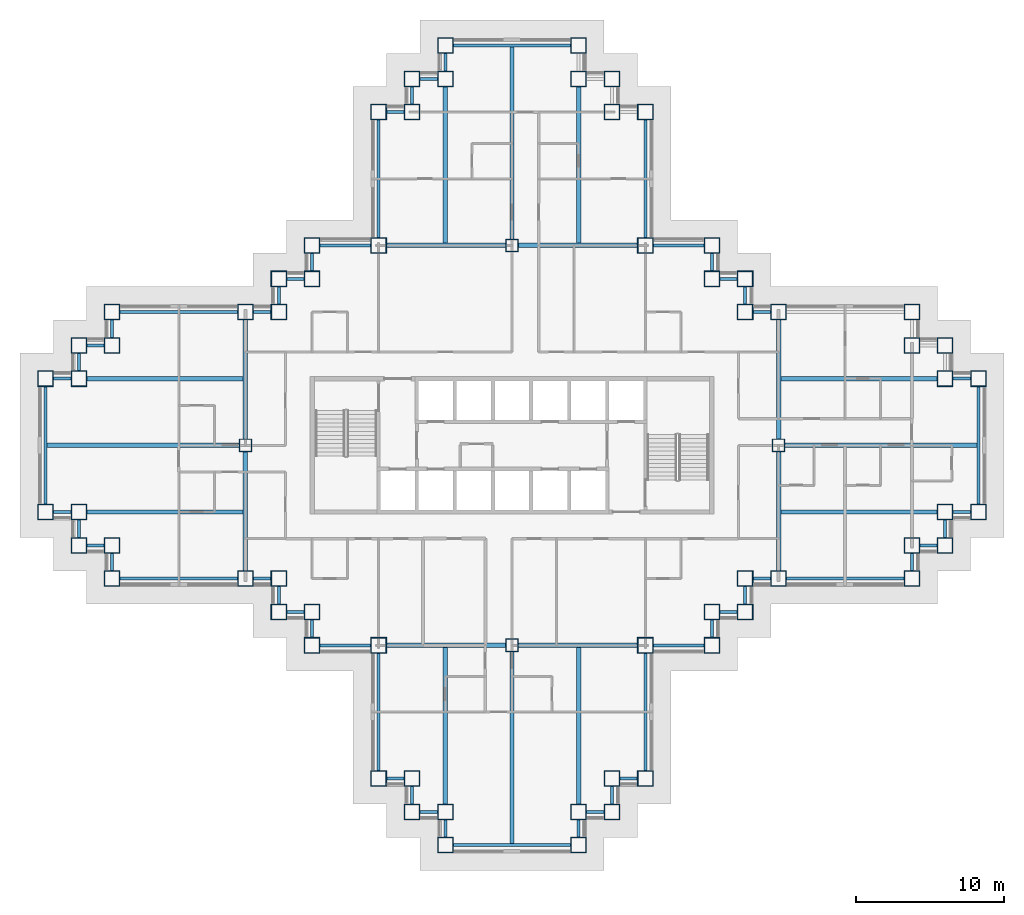
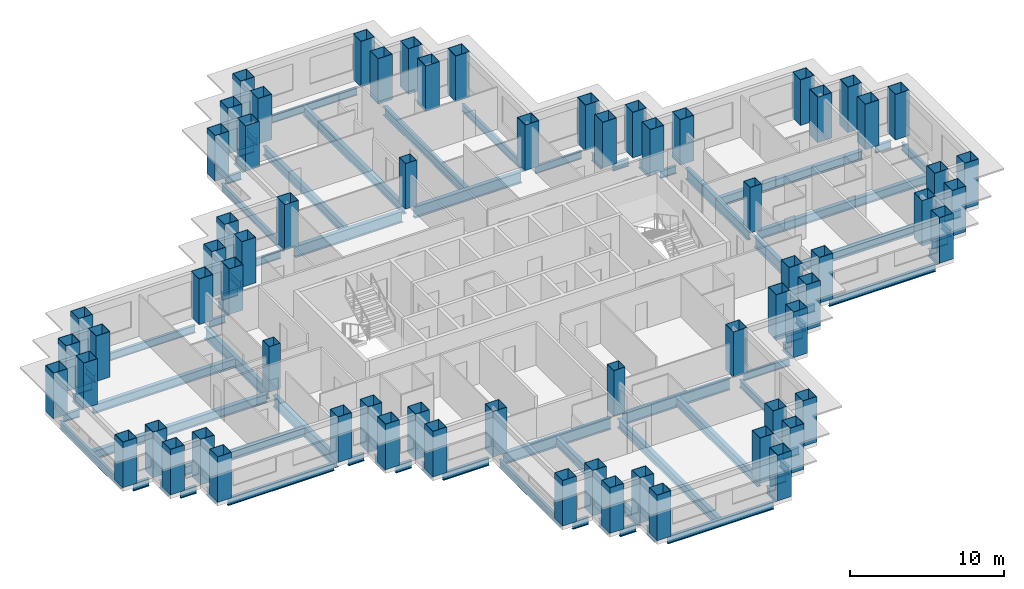
# One storey, part 1 of 14: 76 beams, 68 columns.
"""IFC4 building model written with IfcOpenShell, lengths in metres."""

from ifc_helpers import new_model, si_unit, direction, frame, origin, origin_2d, place, context, subcontext, project, spatial, hollow_rectangle, i_section, extrude, material, material_profile, profile_set, type_object, element, save


model = new_model("IFC4")

# Units and contexts
model_context = context("Model", 3, precision=1e-05, world=origin(), true_north=direction((0.0, 1.0)))
body_context = subcontext(model_context, "Body", "Model", "MODEL_VIEW")
ifc_project = project(units=[si_unit("LENGTHUNIT", "METRE"), si_unit("AREAUNIT", "SQUARE_METRE"), si_unit("VOLUMEUNIT", "CUBIC_METRE"), si_unit("PLANEANGLEUNIT", "RADIAN"), si_unit("MASSUNIT", "GRAM", prefix="KILO")], contexts=[model_context])

# Site, building, storey
site_placement = place(None, origin())
site = spatial("IfcSite", under=ifc_project, at=site_placement, CompositionType="ELEMENT")
building_placement = place(site_placement, origin())
building = spatial("IfcBuilding", under=site, at=building_placement, Name="Caravel Reach Hotel and Residences", CompositionType="ELEMENT")
storey_placement = place(building_placement, frame((0.0, 0.0, 40.800048828125)))
storey = spatial("IfcBuildingStorey", under=building, at=storey_placement, Name="L08", CompositionType="ELEMENT", Elevation=40.800048828125)

# Columns
ifc_material_1 = material(Name="Concrete-filled steel tube Q390B with Concrete C70 infill", Category="concrete")
ifc_material_profile_1 = material_profile(ifc_material_1, hollow_rectangle(XDim=1.050048828125, YDim=1.050048828125, WallThickness=0.033935546875, at=origin_2d()), Name="RHS 1050x1050x34")
ifc_profile_set_1 = profile_set([ifc_material_profile_1], Name="Concrete-filled steel tube Q390B with Concrete C70 infill")
column_type_1 = type_object("IfcColumnType", Name="CFT 1050x1050 Q390B C70", PredefinedType="COLUMN", material=ifc_profile_set_1)
for number, where, z_axis, x_axis, name in (
    (1, (22.5, 4.5, 0.0), (0.0, 0.0, 1.0), (1.0, 0.0, 0.0), "C11 column"),
    (2, (24.75, 4.5, 0.0), (0.0, 0.0, 1.0), (1.0, 0.0, 0.0), "C11 column"),
    (3, (24.75, 2.25, 0.0), (0.0, 0.0, 1.0), (1.0, 0.0, 0.0), "C11 column"),
    (4, (27.0, 2.25, 0.0), (0.0, 0.0, 1.0), (1.0, 0.0, 0.0), "C11 column"),
    (5, (27.0, 0.0, 0.0), (0.0, 0.0, 1.0), (1.0, 0.0, 0.0), "C11 column"),
    (6, (36.0, 0.0, 0.0), (0.0, 0.0, 1.0), (1.0, 0.0, 0.0), "C11 column"),
    (7, (36.0, 2.25, 0.0), (0.0, 0.0, 1.0), (1.0, 0.0, 0.0), "C11 column"),
    (8, (38.25, 2.25, 0.0), (0.0, 0.0, 1.0), (1.0, 0.0, 0.0), "C11 column"),
    (9, (38.25, 4.5, 0.0), (0.0, 0.0, 1.0), (1.0, 0.0, 0.0), "C11 column"),
    (10, (40.5, 4.5, 0.0), (0.0, 0.0, 1.0), (1.0, 0.0, 0.0), "C11 column"),
    (11, (40.5, 13.5, 0.0), (0.0, 0.0, 1.0), (1.0, 0.0, 0.0), "C11 column"),
    (12, (45.0, 13.5, 0.0), (0.0, 0.0, 1.0), (1.0, 0.0, 0.0), "C11 column"),
    (13, (45.0, 15.75, 0.0), (0.0, 0.0, 1.0), (1.0, 0.0, 0.0), "C11 column"),
    (14, (47.25, 15.75, 0.0), (0.0, 0.0, 1.0), (1.0, 0.0, 0.0), "C11 column"),
    (15, (47.25, 18.0, 0.0), (0.0, 0.0, 1.0), (1.0, 0.0, 0.0), "C11 column"),
    (16, (49.5, 18.0, 0.0), (0.0, 0.0, 1.0), (1.0, 0.0, 0.0), "C11 column"),
    (17, (58.5, 18.0, 0.0), (0.0, 0.0, 1.0), (1.0, 0.0, 0.0), "C11 column"),
    (18, (58.5, 20.25, 0.0), (0.0, 0.0, 1.0), (1.0, 0.0, 0.0), "C11 column"),
    (19, (60.75, 20.25, 0.0), (0.0, 0.0, 1.0), (1.0, 0.0, 0.0), "C11 column"),
    (20, (60.75, 22.5, 0.0), (0.0, 0.0, 1.0), (1.0, 0.0, 0.0), "C11 column"),
    (21, (63.0, 22.5, 0.0), (0.0, 0.0, 1.0), (1.0, 0.0, 0.0), "C11 column"),
    (22, (63.0, 31.5, 0.0), (0.0, 0.0, 1.0), (1.0, 0.0, 0.0), "C11 column"),
    (23, (60.75, 31.5, 0.0), (0.0, 0.0, 1.0), (1.0, 0.0, 0.0), "C11 column"),
    (24, (60.75, 33.75, 0.0), (0.0, 0.0, 1.0), (1.0, 0.0, 0.0), "C11 column"),
    (25, (58.5, 33.75, 0.0), (0.0, 0.0, 1.0), (1.0, 0.0, 0.0), "C11 column"),
    (26, (58.5, 36.0, 0.0), (0.0, 0.0, 1.0), (1.0, 0.0, 0.0), "C11 column"),
    (27, (49.5, 36.0, 0.0), (0.0, 0.0, 1.0), (1.0, 0.0, 0.0), "C11 column"),
    (28, (47.25, 36.0, 0.0), (0.0, 0.0, 1.0), (1.0, 0.0, 0.0), "C11 column"),
    (29, (47.25, 38.25, 0.0), (0.0, 0.0, 1.0), (1.0, 0.0, 0.0), "C11 column"),
    (30, (45.0, 38.25, 0.0), (0.0, 0.0, 1.0), (1.0, 0.0, 0.0), "C11 column"),
    (31, (45.0, 40.5, 0.0), (0.0, 0.0, 1.0), (1.0, 0.0, 0.0), "C11 column"),
    (32, (40.5, 40.5, 0.0), (0.0, 0.0, 1.0), (1.0, 0.0, 0.0), "C11 column"),
    (33, (40.5, 49.5, 0.0), (0.0, 0.0, 1.0), (1.0, 0.0, 0.0), "C11 column"),
    (34, (38.25, 49.5, 0.0), (0.0, 0.0, 1.0), (1.0, 0.0, 0.0), "C11 column"),
    (35, (38.25, 51.75, 0.0), (0.0, 0.0, 1.0), (1.0, 0.0, 0.0), "C11 column"),
    (36, (36.0, 51.75, 0.0), (0.0, 0.0, 1.0), (1.0, 0.0, 0.0), "C11 column"),
    (37, (36.0, 54.0, 0.0), (0.0, 0.0, 1.0), (1.0, 0.0, 0.0), "C11 column"),
    (38, (27.0, 54.0, 0.0), (0.0, 0.0, 1.0), (1.0, 0.0, 0.0), "C11 column"),
    (39, (27.0, 51.75, 0.0), (0.0, 0.0, 1.0), (1.0, 0.0, 0.0), "C11 column"),
    (40, (24.75, 51.75, 0.0), (0.0, 0.0, 1.0), (1.0, 0.0, 0.0), "C11 column"),
    (41, (24.75, 49.5, 0.0), (0.0, 0.0, 1.0), (1.0, 0.0, 0.0), "C11 column"),
    (42, (22.5, 49.5, 0.0), (0.0, 0.0, 1.0), (1.0, 0.0, 0.0), "C11 column"),
    (43, (22.5, 40.5, 0.0), (0.0, 0.0, 1.0), (1.0, 0.0, 0.0), "C11 column"),
    (44, (18.0, 40.5, 0.0), (0.0, 0.0, 1.0), (1.0, 0.0, 0.0), "C11 column"),
    (45, (18.0, 38.25, 0.0), (0.0, 0.0, 1.0), (1.0, 0.0, 0.0), "C11 column"),
    (46, (15.75, 38.25, 0.0), (0.0, 0.0, 1.0), (1.0, 0.0, 0.0), "C11 column"),
    (47, (15.75, 36.0, 0.0), (0.0, 0.0, 1.0), (1.0, 0.0, 0.0), "C11 column"),
    (48, (13.5, 36.0, 0.0), (0.0, 0.0, 1.0), (1.0, 0.0, 0.0), "C11 column"),
    (49, (4.5, 36.0, 0.0), (0.0, 0.0, 1.0), (1.0, 0.0, 0.0), "C11 column"),
    (50, (4.5, 33.75, 0.0), (0.0, 0.0, 1.0), (1.0, 0.0, 0.0), "C11 column"),
    (51, (2.25, 33.75, 0.0), (0.0, 0.0, 1.0), (1.0, 0.0, 0.0), "C11 column"),
    (52, (2.25, 31.5, 0.0), (0.0, 0.0, 1.0), (1.0, 0.0, 0.0), "C11 column"),
    (53, (0.0, 31.5, 0.0), (0.0, 0.0, 1.0), (1.0, 0.0, 0.0), "C11 column"),
    (54, (0.0, 22.5, 0.0), (0.0, 0.0, 1.0), (1.0, 0.0, 0.0), "C11 column"),
    (55, (2.25, 22.5, 0.0), (0.0, 0.0, 1.0), (1.0, 0.0, 0.0), "C11 column"),
    (56, (2.25, 20.25, 0.0), (0.0, 0.0, 1.0), (1.0, 0.0, 0.0), "C11 column"),
    (57, (4.5, 20.25, 0.0), (0.0, 0.0, 1.0), (1.0, 0.0, 0.0), "C11 column"),
    (58, (4.5, 18.0, 0.0), (0.0, 0.0, 1.0), (1.0, 0.0, 0.0), "C11 column"),
    (59, (13.5, 18.0, 0.0), (0.0, 0.0, 1.0), (1.0, 0.0, 0.0), "C11 column"),
    (60, (15.75, 18.0, 0.0), (0.0, 0.0, 1.0), (1.0, 0.0, 0.0), "C11 column"),
    (61, (15.75, 15.75, 0.0), (0.0, 0.0, 1.0), (1.0, 0.0, 0.0), "C11 column"),
    (62, (18.0, 15.75, 0.0), (0.0, 0.0, 1.0), (1.0, 0.0, 0.0), "C11 column"),
    (63, (18.0, 13.5, 0.0), (0.0, 0.0, 1.0), (1.0, 0.0, 0.0), "C11 column"),
    (64, (22.5, 13.5, 0.0), (0.0, 0.0, 1.0), (1.0, 0.0, 0.0), "C11 column"),
):
    element("IfcColumn", number, at=place(storey_placement, frame(where, z_axis=z_axis, x_axis=x_axis)), inside=storey, type_object=column_type_1, Name=name, PredefinedType="COLUMN", context=body_context, shape_type="SweptSolid", body=[
        extrude(hollow_rectangle(XDim=1.050048828125, YDim=1.050048828125, WallThickness=0.033935546875, at=origin_2d()), origin(), (0.0, 0.0, 1.0), 3.599853515625),
    ])
ifc_material_2 = material(Name="Concrete-filled steel tube Q390B with Concrete C70 infill", Category="concrete")
ifc_material_profile_2 = material_profile(ifc_material_2, hollow_rectangle(XDim=0.85009765625, YDim=0.85009765625, WallThickness=0.02587890625, at=origin_2d()), Name="RHS 850x850x26")
ifc_profile_set_2 = profile_set([ifc_material_profile_2], Name="Concrete-filled steel tube Q390B with Concrete C70 infill")
column_type_2 = type_object("IfcColumnType", Name="CFT 850x850 Q390B C70", PredefinedType="COLUMN", material=ifc_profile_set_2)
for number, where, z_axis, x_axis, name in (
    (65, (31.5, 40.5, 0.0), (0.0, 0.0, 1.0), (1.0, 0.0, 0.0), "C13 column"),
    (66, (31.5, 13.5, 0.0), (0.0, 0.0, 1.0), (1.0, 0.0, 0.0), "C13 column"),
    (67, (13.5, 27.0, 0.0), (0.0, 0.0, 1.0), (1.0, 0.0, 0.0), "C13 column"),
    (68, (49.5, 27.0, 0.0), (0.0, 0.0, 1.0), (1.0, 0.0, 0.0), "C13 column"),
):
    element("IfcColumn", number, at=place(storey_placement, frame(where, z_axis=z_axis, x_axis=x_axis)), inside=storey, type_object=column_type_2, Name=name, PredefinedType="COLUMN", context=body_context, shape_type="SweptSolid", body=[
        extrude(hollow_rectangle(XDim=0.85009765625, YDim=0.85009765625, WallThickness=0.02587890625, at=origin_2d()), origin(), (0.0, 0.0, 1.0), 3.599853515625),
    ])

# Beams
ifc_material_3 = material(Name="Structural steel Q355B", Category="steel")
ifc_material_profile_3 = material_profile(ifc_material_3, i_section(OverallWidth=0.300048828125, OverallDepth=0.699951171875, WebThickness=0.012939453125, FlangeThickness=0.02392578125, FilletRadius=0.01806640625, at=origin_2d()), Name="HN 700x300x13x24")
ifc_profile_set_3 = profile_set([ifc_material_profile_3], Name="Structural steel Q355B")
beam_type_1 = type_object("IfcBeamType", Name="Beam HN 700x300x13x24", PredefinedType="BEAM", material=ifc_profile_set_3)
beam_1_placement = place(storey_placement, frame((27.0, 40.60009765625, -0.650146484375), z_axis=(0.0, 1.0, 0.0), x_axis=(-1.0, 0.0, 0.0)))
element("IfcBeam", 69, at=beam_1_placement, inside=storey, type_object=beam_type_1, Name="B2 HN 700x300x13x24", PredefinedType="BEAM", context=body_context, shape_type="SweptSolid", body=[
    extrude(i_section(OverallWidth=0.300048828125, OverallDepth=0.699951171875, WebThickness=0.012939453125, FlangeThickness=0.02392578125, FilletRadius=0.01806640625, at=origin_2d()), origin(), (0.0, 0.0, 1.0), 10.6748046875),
])
beam_2_placement = place(storey_placement, frame((31.5, 40.875, -0.650146484375), z_axis=(0.0, 1.0, 0.0), x_axis=(-1.0, 0.0, 0.0)))
element("IfcBeam", 70, at=beam_2_placement, inside=storey, type_object=beam_type_1, Name="B2 HN 700x300x13x24", PredefinedType="BEAM", context=body_context, shape_type="SweptSolid", body=[
    extrude(i_section(OverallWidth=0.300048828125, OverallDepth=0.699951171875, WebThickness=0.012939453125, FlangeThickness=0.02392578125, FilletRadius=0.01806640625, at=origin_2d()), origin(), (0.0, 0.0, 1.0), 13.02490234375),
])
for number, where, z_axis, x_axis, name in (
    (71, (36.0, 40.60009765625, -0.650146484375), (0.0, 1.0, 0.0), (-1.0, 0.0, 0.0), "B2 HN 700x300x13x24"),
    (72, (27.0, 13.39990234375, -0.650146484375), (0.0, -1.0, 0.0), (1.0, 0.0, 0.0), "B2 HN 700x300x13x24"),
):
    element("IfcBeam", number, at=place(storey_placement, frame(where, z_axis=z_axis, x_axis=x_axis)), inside=storey, type_object=beam_type_1, Name=name, PredefinedType="BEAM", context=body_context, shape_type="SweptSolid", body=[
        extrude(i_section(OverallWidth=0.300048828125, OverallDepth=0.699951171875, WebThickness=0.012939453125, FlangeThickness=0.02392578125, FilletRadius=0.01806640625, at=origin_2d()), origin(), (0.0, 0.0, 1.0), 10.6748046875),
    ])
beam_3_placement = place(storey_placement, frame((31.5, 13.125, -0.650146484375), z_axis=(0.0, -1.0, 0.0), x_axis=(1.0, 0.0, 0.0)))
element("IfcBeam", 73, at=beam_3_placement, inside=storey, type_object=beam_type_1, Name="B2 HN 700x300x13x24", PredefinedType="BEAM", context=body_context, shape_type="SweptSolid", body=[
    extrude(i_section(OverallWidth=0.300048828125, OverallDepth=0.699951171875, WebThickness=0.012939453125, FlangeThickness=0.02392578125, FilletRadius=0.01806640625, at=origin_2d()), origin(), (0.0, 0.0, 1.0), 13.02490234375),
])
for number, where, z_axis, x_axis, name in (
    (74, (36.0, 13.39990234375, -0.650146484375), (0.0, -1.0, 0.0), (1.0, 0.0, 0.0), "B2 HN 700x300x13x24"),
    (75, (49.60009765625, 22.5, -0.650146484375), (1.0, 0.0, 0.0), (0.0, 1.0, 0.0), "B2 HN 700x300x13x24"),
):
    element("IfcBeam", number, at=place(storey_placement, frame(where, z_axis=z_axis, x_axis=x_axis)), inside=storey, type_object=beam_type_1, Name=name, PredefinedType="BEAM", context=body_context, shape_type="SweptSolid", body=[
        extrude(i_section(OverallWidth=0.300048828125, OverallDepth=0.699951171875, WebThickness=0.012939453125, FlangeThickness=0.02392578125, FilletRadius=0.01806640625, at=origin_2d()), origin(), (0.0, 0.0, 1.0), 10.6748046875),
    ])
beam_4_placement = place(storey_placement, frame((49.875, 27.0, -0.650146484375), z_axis=(1.0, 0.0, 0.0), x_axis=(0.0, 1.0, 0.0)))
element("IfcBeam", 76, at=beam_4_placement, inside=storey, type_object=beam_type_1, Name="B2 HN 700x300x13x24", PredefinedType="BEAM", context=body_context, shape_type="SweptSolid", body=[
    extrude(i_section(OverallWidth=0.300048828125, OverallDepth=0.699951171875, WebThickness=0.012939453125, FlangeThickness=0.02392578125, FilletRadius=0.01806640625, at=origin_2d()), origin(), (0.0, 0.0, 1.0), 13.02490234375),
])
for number, where, z_axis, x_axis, name in (
    (77, (49.60009765625, 31.5, -0.650146484375), (1.0, 0.0, 0.0), (0.0, 1.0, 0.0), "B2 HN 700x300x13x24"),
    (78, (13.39990234375, 22.5, -0.650146484375), (-1.0, 0.0, 0.0), (0.0, -1.0, 0.0), "B2 HN 700x300x13x24"),
):
    element("IfcBeam", number, at=place(storey_placement, frame(where, z_axis=z_axis, x_axis=x_axis)), inside=storey, type_object=beam_type_1, Name=name, PredefinedType="BEAM", context=body_context, shape_type="SweptSolid", body=[
        extrude(i_section(OverallWidth=0.300048828125, OverallDepth=0.699951171875, WebThickness=0.012939453125, FlangeThickness=0.02392578125, FilletRadius=0.01806640625, at=origin_2d()), origin(), (0.0, 0.0, 1.0), 10.6748046875),
    ])
beam_5_placement = place(storey_placement, frame((13.125, 27.0, -0.650146484375), z_axis=(-1.0, 0.0, 0.0), x_axis=(0.0, -1.0, 0.0)))
element("IfcBeam", 79, at=beam_5_placement, inside=storey, type_object=beam_type_1, Name="B2 HN 700x300x13x24", PredefinedType="BEAM", context=body_context, shape_type="SweptSolid", body=[
    extrude(i_section(OverallWidth=0.300048828125, OverallDepth=0.699951171875, WebThickness=0.012939453125, FlangeThickness=0.02392578125, FilletRadius=0.01806640625, at=origin_2d()), origin(), (0.0, 0.0, 1.0), 13.02490234375),
])
beam_6_placement = place(storey_placement, frame((13.39990234375, 31.5, -0.650146484375), z_axis=(-1.0, 0.0, 0.0), x_axis=(0.0, -1.0, 0.0)))
element("IfcBeam", 80, at=beam_6_placement, inside=storey, type_object=beam_type_1, Name="B2 HN 700x300x13x24", PredefinedType="BEAM", context=body_context, shape_type="SweptSolid", body=[
    extrude(i_section(OverallWidth=0.300048828125, OverallDepth=0.699951171875, WebThickness=0.012939453125, FlangeThickness=0.02392578125, FilletRadius=0.01806640625, at=origin_2d()), origin(), (0.0, 0.0, 1.0), 10.6748046875),
])
ifc_material_4 = material(Name="Structural steel Q355B", Category="steel")
ifc_material_profile_4 = material_profile(ifc_material_4, i_section(OverallWidth=0.300048828125, OverallDepth=0.89990234375, WebThickness=0.01611328125, FlangeThickness=0.028076171875, FilletRadius=0.01806640625, at=origin_2d()), Name="HN 900x300x16x28")
ifc_profile_set_4 = profile_set([ifc_material_profile_4], Name="Structural steel Q355B")
beam_type_2 = type_object("IfcBeamType", Name="Beam HN 900x300x16x28", PredefinedType="BEAM", material=ifc_profile_set_4)
for number, where, z_axis, x_axis, name in (
    (81, (23.02490234375, 40.5, -0.75), (1.0, 0.0, 0.0), (0.0, 1.0, 0.0), "B3 HN 900x300x16x28"),
    (82, (31.925048828125, 40.5, -0.75), (1.0, 0.0, 0.0), (0.0, 1.0, 0.0), "B3 HN 900x300x16x28"),
    (83, (23.02490234375, 13.5, -0.75), (1.0, 0.0, 0.0), (0.0, 1.0, 0.0), "B3 HN 900x300x16x28"),
    (84, (31.925048828125, 13.5, -0.75), (1.0, 0.0, 0.0), (0.0, 1.0, 0.0), "B3 HN 900x300x16x28"),
    (85, (13.5, 18.52490234375, -0.75), (0.0, 1.0, 0.0), (-1.0, 0.0, 0.0), "B3 HN 900x300x16x28"),
    (86, (13.5, 27.425048828125, -0.75), (0.0, 1.0, 0.0), (-1.0, 0.0, 0.0), "B3 HN 900x300x16x28"),
    (87, (49.5, 18.52490234375, -0.75), (0.0, 1.0, 0.0), (-1.0, 0.0, 0.0), "B3 HN 900x300x16x28"),
    (88, (49.5, 27.425048828125, -0.75), (0.0, 1.0, 0.0), (-1.0, 0.0, 0.0), "B3 HN 900x300x16x28"),
):
    element("IfcBeam", number, at=place(storey_placement, frame(where, z_axis=z_axis, x_axis=x_axis)), inside=storey, type_object=beam_type_2, Name=name, PredefinedType="BEAM", context=body_context, shape_type="SweptSolid", body=[
        extrude(i_section(OverallWidth=0.300048828125, OverallDepth=0.89990234375, WebThickness=0.01611328125, FlangeThickness=0.028076171875, FilletRadius=0.01806640625, at=origin_2d()), origin(), (0.0, 0.0, 1.0), 8.050048828125),
    ])
ifc_material_5 = material(Name="Structural steel Q355B", Category="steel")
ifc_material_profile_5 = material_profile(ifc_material_5, i_section(OverallWidth=0.199951171875, OverallDepth=0.60009765625, WebThickness=0.010986328125, FlangeThickness=0.01708984375, FilletRadius=0.012939453125, at=origin_2d()), Name="HN 600x200x11x17")
ifc_profile_set_5 = profile_set([ifc_material_profile_5], Name="Structural steel Q355B")
beam_type_3 = type_object("IfcBeamType", Name="Spandrel beam HN 600x200x11x17", PredefinedType="SPANDREL", material=ifc_profile_set_5)
for number, where, z_axis, x_axis, name in (
    (89, (23.02490234375, 4.5, -0.60009765625), (1.0, 0.0, 0.0), (0.0, 1.0, 0.0), "SP1 HN 600x200x11x17"),
    (90, (24.75, 3.97509765625, -0.60009765625), (0.0, -1.0, 0.0), (1.0, 0.0, 0.0), "SP1 HN 600x200x11x17"),
    (91, (25.27490234375, 2.25, -0.60009765625), (1.0, 0.0, 0.0), (0.0, 1.0, 0.0), "SP1 HN 600x200x11x17"),
    (92, (27.0, 1.72509765625, -0.60009765625), (0.0, -1.0, 0.0), (1.0, 0.0, 0.0), "SP1 HN 600x200x11x17"),
):
    element("IfcBeam", number, at=place(storey_placement, frame(where, z_axis=z_axis, x_axis=x_axis)), inside=storey, type_object=beam_type_3, Name=name, PredefinedType="SPANDREL", context=body_context, shape_type="SweptSolid", body=[
        extrude(i_section(OverallWidth=0.199951171875, OverallDepth=0.60009765625, WebThickness=0.010986328125, FlangeThickness=0.01708984375, FilletRadius=0.012939453125, at=origin_2d()), origin(), (0.0, 0.0, 1.0), 1.2001953125),
    ])
beam_7_placement = place(storey_placement, frame((27.52490234375, 0.0, -0.60009765625), z_axis=(1.0, 0.0, 0.0), x_axis=(0.0, 1.0, 0.0)))
element("IfcBeam", 93, at=beam_7_placement, inside=storey, type_object=beam_type_3, Name="SP1 HN 600x200x11x17", PredefinedType="SPANDREL", context=body_context, shape_type="SweptSolid", body=[
    extrude(i_section(OverallWidth=0.199951171875, OverallDepth=0.60009765625, WebThickness=0.010986328125, FlangeThickness=0.01708984375, FilletRadius=0.012939453125, at=origin_2d()), origin(), (0.0, 0.0, 1.0), 7.9501953125),
])
for number, where, z_axis, x_axis, name in (
    (94, (36.0, 0.52490234375, -0.60009765625), (0.0, 1.0, 0.0), (-1.0, 0.0, 0.0), "SP1 HN 600x200x11x17"),
    (95, (36.52490234375, 2.25, -0.60009765625), (1.0, 0.0, 0.0), (0.0, 1.0, 0.0), "SP1 HN 600x200x11x17"),
    (96, (38.25, 2.77490234375, -0.60009765625), (0.0, 1.0, 0.0), (-1.0, 0.0, 0.0), "SP1 HN 600x200x11x17"),
    (97, (38.77490234375, 4.5, -0.60009765625), (1.0, 0.0, 0.0), (0.0, 1.0, 0.0), "SP1 HN 600x200x11x17"),
):
    element("IfcBeam", number, at=place(storey_placement, frame(where, z_axis=z_axis, x_axis=x_axis)), inside=storey, type_object=beam_type_3, Name=name, PredefinedType="SPANDREL", context=body_context, shape_type="SweptSolid", body=[
        extrude(i_section(OverallWidth=0.199951171875, OverallDepth=0.60009765625, WebThickness=0.010986328125, FlangeThickness=0.01708984375, FilletRadius=0.012939453125, at=origin_2d()), origin(), (0.0, 0.0, 1.0), 1.2001953125),
    ])
beam_8_placement = place(storey_placement, frame((40.5, 5.02490234375, -0.60009765625), z_axis=(0.0, 1.0, 0.0), x_axis=(-1.0, 0.0, 0.0)))
element("IfcBeam", 98, at=beam_8_placement, inside=storey, type_object=beam_type_3, Name="SP1 HN 600x200x11x17", PredefinedType="SPANDREL", context=body_context, shape_type="SweptSolid", body=[
    extrude(i_section(OverallWidth=0.199951171875, OverallDepth=0.60009765625, WebThickness=0.010986328125, FlangeThickness=0.01708984375, FilletRadius=0.012939453125, at=origin_2d()), origin(), (0.0, 0.0, 1.0), 7.9501953125),
])
beam_9_placement = place(storey_placement, frame((41.02490234375, 13.5, -0.60009765625), z_axis=(1.0, 0.0, 0.0), x_axis=(0.0, 1.0, 0.0)))
element("IfcBeam", 99, at=beam_9_placement, inside=storey, type_object=beam_type_3, Name="SP1 HN 600x200x11x17", PredefinedType="SPANDREL", context=body_context, shape_type="SweptSolid", body=[
    extrude(i_section(OverallWidth=0.199951171875, OverallDepth=0.60009765625, WebThickness=0.010986328125, FlangeThickness=0.01708984375, FilletRadius=0.012939453125, at=origin_2d()), origin(), (0.0, 0.0, 1.0), 3.4501953125),
])
for number, where, z_axis, x_axis, name in (
    (100, (45.0, 14.02490234375, -0.60009765625), (0.0, 1.0, 0.0), (-1.0, 0.0, 0.0), "SP1 HN 600x200x11x17"),
    (101, (45.52490234375, 15.75, -0.60009765625), (1.0, 0.0, 0.0), (0.0, 1.0, 0.0), "SP1 HN 600x200x11x17"),
    (102, (47.25, 16.27490234375, -0.60009765625), (0.0, 1.0, 0.0), (-1.0, 0.0, 0.0), "SP1 HN 600x200x11x17"),
    (103, (47.77490234375, 18.0, -0.60009765625), (1.0, 0.0, 0.0), (0.0, 1.0, 0.0), "SP1 HN 600x200x11x17"),
):
    element("IfcBeam", number, at=place(storey_placement, frame(where, z_axis=z_axis, x_axis=x_axis)), inside=storey, type_object=beam_type_3, Name=name, PredefinedType="SPANDREL", context=body_context, shape_type="SweptSolid", body=[
        extrude(i_section(OverallWidth=0.199951171875, OverallDepth=0.60009765625, WebThickness=0.010986328125, FlangeThickness=0.01708984375, FilletRadius=0.012939453125, at=origin_2d()), origin(), (0.0, 0.0, 1.0), 1.2001953125),
    ])
beam_10_placement = place(storey_placement, frame((50.02490234375, 18.0, -0.60009765625), z_axis=(1.0, 0.0, 0.0), x_axis=(0.0, 1.0, 0.0)))
element("IfcBeam", 104, at=beam_10_placement, inside=storey, type_object=beam_type_3, Name="SP1 HN 600x200x11x17", PredefinedType="SPANDREL", context=body_context, shape_type="SweptSolid", body=[
    extrude(i_section(OverallWidth=0.199951171875, OverallDepth=0.60009765625, WebThickness=0.010986328125, FlangeThickness=0.01708984375, FilletRadius=0.012939453125, at=origin_2d()), origin(), (0.0, 0.0, 1.0), 7.9501953125),
])
for number, where, z_axis, x_axis, name in (
    (105, (58.5, 18.52490234375, -0.60009765625), (0.0, 1.0, 0.0), (-1.0, 0.0, 0.0), "SP1 HN 600x200x11x17"),
    (106, (59.02490234375, 20.25, -0.60009765625), (1.0, 0.0, 0.0), (0.0, 1.0, 0.0), "SP1 HN 600x200x11x17"),
    (107, (60.75, 20.77490234375, -0.60009765625), (0.0, 1.0, 0.0), (-1.0, 0.0, 0.0), "SP1 HN 600x200x11x17"),
    (108, (61.27490234375, 22.5, -0.60009765625), (1.0, 0.0, 0.0), (0.0, 1.0, 0.0), "SP1 HN 600x200x11x17"),
):
    element("IfcBeam", number, at=place(storey_placement, frame(where, z_axis=z_axis, x_axis=x_axis)), inside=storey, type_object=beam_type_3, Name=name, PredefinedType="SPANDREL", context=body_context, shape_type="SweptSolid", body=[
        extrude(i_section(OverallWidth=0.199951171875, OverallDepth=0.60009765625, WebThickness=0.010986328125, FlangeThickness=0.01708984375, FilletRadius=0.012939453125, at=origin_2d()), origin(), (0.0, 0.0, 1.0), 1.2001953125),
    ])
beam_11_placement = place(storey_placement, frame((63.0, 23.02490234375, -0.60009765625), z_axis=(0.0, 1.0, 0.0), x_axis=(-1.0, 0.0, 0.0)))
element("IfcBeam", 109, at=beam_11_placement, inside=storey, type_object=beam_type_3, Name="SP1 HN 600x200x11x17", PredefinedType="SPANDREL", context=body_context, shape_type="SweptSolid", body=[
    extrude(i_section(OverallWidth=0.199951171875, OverallDepth=0.60009765625, WebThickness=0.010986328125, FlangeThickness=0.01708984375, FilletRadius=0.012939453125, at=origin_2d()), origin(), (0.0, 0.0, 1.0), 7.9501953125),
])
for number, where, z_axis, x_axis, name in (
    (110, (62.47509765625, 31.5, -0.60009765625), (-1.0, 0.0, 0.0), (0.0, -1.0, 0.0), "SP1 HN 600x200x11x17"),
    (111, (48.97509765625, 36.0, -0.60009765625), (-1.0, 0.0, 0.0), (0.0, -1.0, 0.0), "SP1 HN 600x200x11x17"),
    (112, (47.25, 36.52490234375, -0.60009765625), (0.0, 1.0, 0.0), (-1.0, 0.0, 0.0), "SP1 HN 600x200x11x17"),
    (113, (46.72509765625, 38.25, -0.60009765625), (-1.0, 0.0, 0.0), (0.0, -1.0, 0.0), "SP1 HN 600x200x11x17"),
    (114, (45.0, 38.77490234375, -0.60009765625), (0.0, 1.0, 0.0), (-1.0, 0.0, 0.0), "SP1 HN 600x200x11x17"),
):
    element("IfcBeam", number, at=place(storey_placement, frame(where, z_axis=z_axis, x_axis=x_axis)), inside=storey, type_object=beam_type_3, Name=name, PredefinedType="SPANDREL", context=body_context, shape_type="SweptSolid", body=[
        extrude(i_section(OverallWidth=0.199951171875, OverallDepth=0.60009765625, WebThickness=0.010986328125, FlangeThickness=0.01708984375, FilletRadius=0.012939453125, at=origin_2d()), origin(), (0.0, 0.0, 1.0), 1.2001953125),
    ])
beam_12_placement = place(storey_placement, frame((44.47509765625, 40.5, -0.60009765625), z_axis=(-1.0, 0.0, 0.0), x_axis=(0.0, -1.0, 0.0)))
element("IfcBeam", 115, at=beam_12_placement, inside=storey, type_object=beam_type_3, Name="SP1 HN 600x200x11x17", PredefinedType="SPANDREL", context=body_context, shape_type="SweptSolid", body=[
    extrude(i_section(OverallWidth=0.199951171875, OverallDepth=0.60009765625, WebThickness=0.010986328125, FlangeThickness=0.01708984375, FilletRadius=0.012939453125, at=origin_2d()), origin(), (0.0, 0.0, 1.0), 3.4501953125),
])
for number, where, z_axis, x_axis, name in (
    (116, (40.5, 41.02490234375, -0.60009765625), (0.0, 1.0, 0.0), (-1.0, 0.0, 0.0), "SP1 HN 600x200x11x17"),
    (117, (35.47509765625, 54.0, -0.60009765625), (-1.0, 0.0, 0.0), (0.0, -1.0, 0.0), "SP1 HN 600x200x11x17"),
):
    element("IfcBeam", number, at=place(storey_placement, frame(where, z_axis=z_axis, x_axis=x_axis)), inside=storey, type_object=beam_type_3, Name=name, PredefinedType="SPANDREL", context=body_context, shape_type="SweptSolid", body=[
        extrude(i_section(OverallWidth=0.199951171875, OverallDepth=0.60009765625, WebThickness=0.010986328125, FlangeThickness=0.01708984375, FilletRadius=0.012939453125, at=origin_2d()), origin(), (0.0, 0.0, 1.0), 7.9501953125),
    ])
for number, where, z_axis, x_axis, name in (
    (118, (27.0, 53.47509765625, -0.60009765625), (0.0, -1.0, 0.0), (1.0, 0.0, 0.0), "SP1 HN 600x200x11x17"),
    (119, (26.47509765625, 51.75, -0.60009765625), (-1.0, 0.0, 0.0), (0.0, -1.0, 0.0), "SP1 HN 600x200x11x17"),
    (120, (24.75, 51.22509765625, -0.60009765625), (0.0, -1.0, 0.0), (1.0, 0.0, 0.0), "SP1 HN 600x200x11x17"),
    (121, (24.22509765625, 49.5, -0.60009765625), (-1.0, 0.0, 0.0), (0.0, -1.0, 0.0), "SP1 HN 600x200x11x17"),
):
    element("IfcBeam", number, at=place(storey_placement, frame(where, z_axis=z_axis, x_axis=x_axis)), inside=storey, type_object=beam_type_3, Name=name, PredefinedType="SPANDREL", context=body_context, shape_type="SweptSolid", body=[
        extrude(i_section(OverallWidth=0.199951171875, OverallDepth=0.60009765625, WebThickness=0.010986328125, FlangeThickness=0.01708984375, FilletRadius=0.012939453125, at=origin_2d()), origin(), (0.0, 0.0, 1.0), 1.2001953125),
    ])
beam_13_placement = place(storey_placement, frame((22.5, 48.97509765625, -0.60009765625), z_axis=(0.0, -1.0, 0.0), x_axis=(1.0, 0.0, 0.0)))
element("IfcBeam", 122, at=beam_13_placement, inside=storey, type_object=beam_type_3, Name="SP1 HN 600x200x11x17", PredefinedType="SPANDREL", context=body_context, shape_type="SweptSolid", body=[
    extrude(i_section(OverallWidth=0.199951171875, OverallDepth=0.60009765625, WebThickness=0.010986328125, FlangeThickness=0.01708984375, FilletRadius=0.012939453125, at=origin_2d()), origin(), (0.0, 0.0, 1.0), 7.9501953125),
])
beam_14_placement = place(storey_placement, frame((21.97509765625, 40.5, -0.60009765625), z_axis=(-1.0, 0.0, 0.0), x_axis=(0.0, -1.0, 0.0)))
element("IfcBeam", 123, at=beam_14_placement, inside=storey, type_object=beam_type_3, Name="SP1 HN 600x200x11x17", PredefinedType="SPANDREL", context=body_context, shape_type="SweptSolid", body=[
    extrude(i_section(OverallWidth=0.199951171875, OverallDepth=0.60009765625, WebThickness=0.010986328125, FlangeThickness=0.01708984375, FilletRadius=0.012939453125, at=origin_2d()), origin(), (0.0, 0.0, 1.0), 3.4501953125),
])
for number, where, z_axis, x_axis, name in (
    (124, (18.0, 39.97509765625, -0.60009765625), (0.0, -1.0, 0.0), (1.0, 0.0, 0.0), "SP1 HN 600x200x11x17"),
    (125, (17.47509765625, 38.25, -0.60009765625), (-1.0, 0.0, 0.0), (0.0, -1.0, 0.0), "SP1 HN 600x200x11x17"),
    (126, (15.75, 37.72509765625, -0.60009765625), (0.0, -1.0, 0.0), (1.0, 0.0, 0.0), "SP1 HN 600x200x11x17"),
    (127, (15.22509765625, 36.0, -0.60009765625), (-1.0, 0.0, 0.0), (0.0, -1.0, 0.0), "SP1 HN 600x200x11x17"),
):
    element("IfcBeam", number, at=place(storey_placement, frame(where, z_axis=z_axis, x_axis=x_axis)), inside=storey, type_object=beam_type_3, Name=name, PredefinedType="SPANDREL", context=body_context, shape_type="SweptSolid", body=[
        extrude(i_section(OverallWidth=0.199951171875, OverallDepth=0.60009765625, WebThickness=0.010986328125, FlangeThickness=0.01708984375, FilletRadius=0.012939453125, at=origin_2d()), origin(), (0.0, 0.0, 1.0), 1.2001953125),
    ])
beam_15_placement = place(storey_placement, frame((12.97509765625, 36.0, -0.60009765625), z_axis=(-1.0, 0.0, 0.0), x_axis=(0.0, -1.0, 0.0)))
element("IfcBeam", 128, at=beam_15_placement, inside=storey, type_object=beam_type_3, Name="SP1 HN 600x200x11x17", PredefinedType="SPANDREL", context=body_context, shape_type="SweptSolid", body=[
    extrude(i_section(OverallWidth=0.199951171875, OverallDepth=0.60009765625, WebThickness=0.010986328125, FlangeThickness=0.01708984375, FilletRadius=0.012939453125, at=origin_2d()), origin(), (0.0, 0.0, 1.0), 7.9501953125),
])
for number, where, z_axis, x_axis, name in (
    (129, (4.5, 35.47509765625, -0.60009765625), (0.0, -1.0, 0.0), (1.0, 0.0, 0.0), "SP1 HN 600x200x11x17"),
    (130, (3.97509765625, 33.75, -0.60009765625), (-1.0, 0.0, 0.0), (0.0, -1.0, 0.0), "SP1 HN 600x200x11x17"),
    (131, (2.25, 33.22509765625, -0.60009765625), (0.0, -1.0, 0.0), (1.0, 0.0, 0.0), "SP1 HN 600x200x11x17"),
    (132, (1.72509765625, 31.5, -0.60009765625), (-1.0, 0.0, 0.0), (0.0, -1.0, 0.0), "SP1 HN 600x200x11x17"),
):
    element("IfcBeam", number, at=place(storey_placement, frame(where, z_axis=z_axis, x_axis=x_axis)), inside=storey, type_object=beam_type_3, Name=name, PredefinedType="SPANDREL", context=body_context, shape_type="SweptSolid", body=[
        extrude(i_section(OverallWidth=0.199951171875, OverallDepth=0.60009765625, WebThickness=0.010986328125, FlangeThickness=0.01708984375, FilletRadius=0.012939453125, at=origin_2d()), origin(), (0.0, 0.0, 1.0), 1.2001953125),
    ])
beam_16_placement = place(storey_placement, frame((0.0, 30.97509765625, -0.60009765625), z_axis=(0.0, -1.0, 0.0), x_axis=(1.0, 0.0, 0.0)))
element("IfcBeam", 133, at=beam_16_placement, inside=storey, type_object=beam_type_3, Name="SP1 HN 600x200x11x17", PredefinedType="SPANDREL", context=body_context, shape_type="SweptSolid", body=[
    extrude(i_section(OverallWidth=0.199951171875, OverallDepth=0.60009765625, WebThickness=0.010986328125, FlangeThickness=0.01708984375, FilletRadius=0.012939453125, at=origin_2d()), origin(), (0.0, 0.0, 1.0), 7.9501953125),
])
for number, where, z_axis, x_axis, name in (
    (134, (0.52490234375, 22.5, -0.60009765625), (1.0, 0.0, 0.0), (0.0, 1.0, 0.0), "SP1 HN 600x200x11x17"),
    (135, (2.25, 21.97509765625, -0.60009765625), (0.0, -1.0, 0.0), (1.0, 0.0, 0.0), "SP1 HN 600x200x11x17"),
    (136, (2.77490234375, 20.25, -0.60009765625), (1.0, 0.0, 0.0), (0.0, 1.0, 0.0), "SP1 HN 600x200x11x17"),
    (137, (4.5, 19.72509765625, -0.60009765625), (0.0, -1.0, 0.0), (1.0, 0.0, 0.0), "SP1 HN 600x200x11x17"),
):
    element("IfcBeam", number, at=place(storey_placement, frame(where, z_axis=z_axis, x_axis=x_axis)), inside=storey, type_object=beam_type_3, Name=name, PredefinedType="SPANDREL", context=body_context, shape_type="SweptSolid", body=[
        extrude(i_section(OverallWidth=0.199951171875, OverallDepth=0.60009765625, WebThickness=0.010986328125, FlangeThickness=0.01708984375, FilletRadius=0.012939453125, at=origin_2d()), origin(), (0.0, 0.0, 1.0), 1.2001953125),
    ])
beam_17_placement = place(storey_placement, frame((5.02490234375, 18.0, -0.60009765625), z_axis=(1.0, 0.0, 0.0), x_axis=(0.0, 1.0, 0.0)))
element("IfcBeam", 138, at=beam_17_placement, inside=storey, type_object=beam_type_3, Name="SP1 HN 600x200x11x17", PredefinedType="SPANDREL", context=body_context, shape_type="SweptSolid", body=[
    extrude(i_section(OverallWidth=0.199951171875, OverallDepth=0.60009765625, WebThickness=0.010986328125, FlangeThickness=0.01708984375, FilletRadius=0.012939453125, at=origin_2d()), origin(), (0.0, 0.0, 1.0), 7.9501953125),
])
for number, where, z_axis, x_axis, name in (
    (139, (14.02490234375, 18.0, -0.60009765625), (1.0, 0.0, 0.0), (0.0, 1.0, 0.0), "SP1 HN 600x200x11x17"),
    (140, (15.75, 17.47509765625, -0.60009765625), (0.0, -1.0, 0.0), (1.0, 0.0, 0.0), "SP1 HN 600x200x11x17"),
    (141, (16.27490234375, 15.75, -0.60009765625), (1.0, 0.0, 0.0), (0.0, 1.0, 0.0), "SP1 HN 600x200x11x17"),
    (142, (18.0, 15.22509765625, -0.60009765625), (0.0, -1.0, 0.0), (1.0, 0.0, 0.0), "SP1 HN 600x200x11x17"),
):
    element("IfcBeam", number, at=place(storey_placement, frame(where, z_axis=z_axis, x_axis=x_axis)), inside=storey, type_object=beam_type_3, Name=name, PredefinedType="SPANDREL", context=body_context, shape_type="SweptSolid", body=[
        extrude(i_section(OverallWidth=0.199951171875, OverallDepth=0.60009765625, WebThickness=0.010986328125, FlangeThickness=0.01708984375, FilletRadius=0.012939453125, at=origin_2d()), origin(), (0.0, 0.0, 1.0), 1.2001953125),
    ])
beam_18_placement = place(storey_placement, frame((18.52490234375, 13.5, -0.60009765625), z_axis=(1.0, 0.0, 0.0), x_axis=(0.0, 1.0, 0.0)))
element("IfcBeam", 143, at=beam_18_placement, inside=storey, type_object=beam_type_3, Name="SP1 HN 600x200x11x17", PredefinedType="SPANDREL", context=body_context, shape_type="SweptSolid", body=[
    extrude(i_section(OverallWidth=0.199951171875, OverallDepth=0.60009765625, WebThickness=0.010986328125, FlangeThickness=0.01708984375, FilletRadius=0.012939453125, at=origin_2d()), origin(), (0.0, 0.0, 1.0), 3.4501953125),
])
beam_19_placement = place(storey_placement, frame((22.5, 12.97509765625, -0.60009765625), z_axis=(0.0, -1.0, 0.0), x_axis=(1.0, 0.0, 0.0)))
element("IfcBeam", 144, at=beam_19_placement, inside=storey, type_object=beam_type_3, Name="SP1 HN 600x200x11x17", PredefinedType="SPANDREL", context=body_context, shape_type="SweptSolid", body=[
    extrude(i_section(OverallWidth=0.199951171875, OverallDepth=0.60009765625, WebThickness=0.010986328125, FlangeThickness=0.01708984375, FilletRadius=0.012939453125, at=origin_2d()), origin(), (0.0, 0.0, 1.0), 7.9501953125),
])

save(model, "model.ifc")
